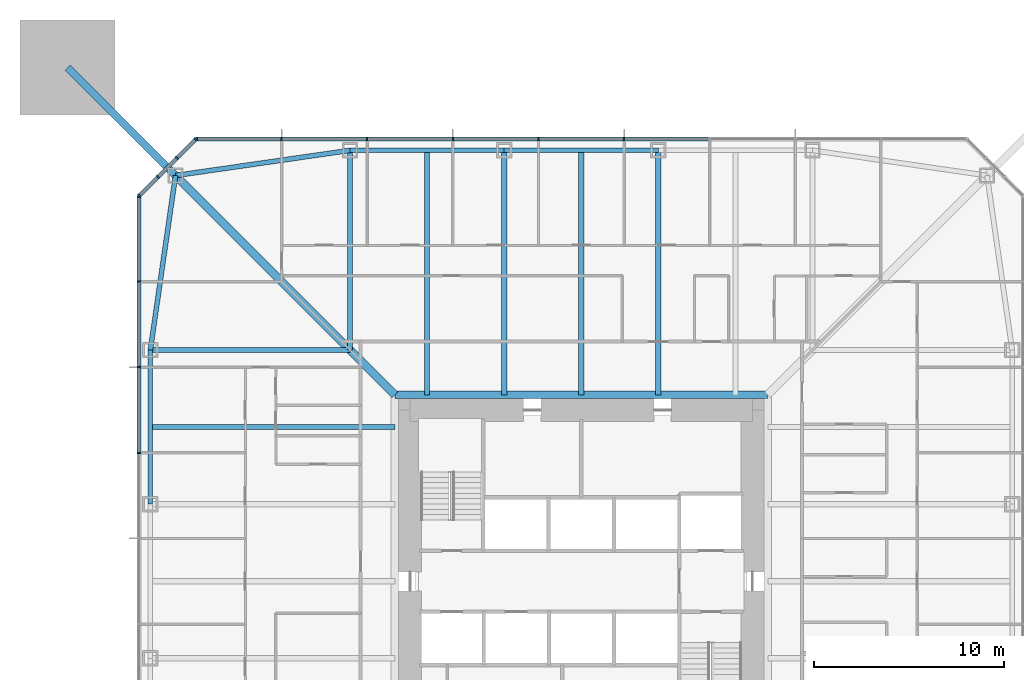
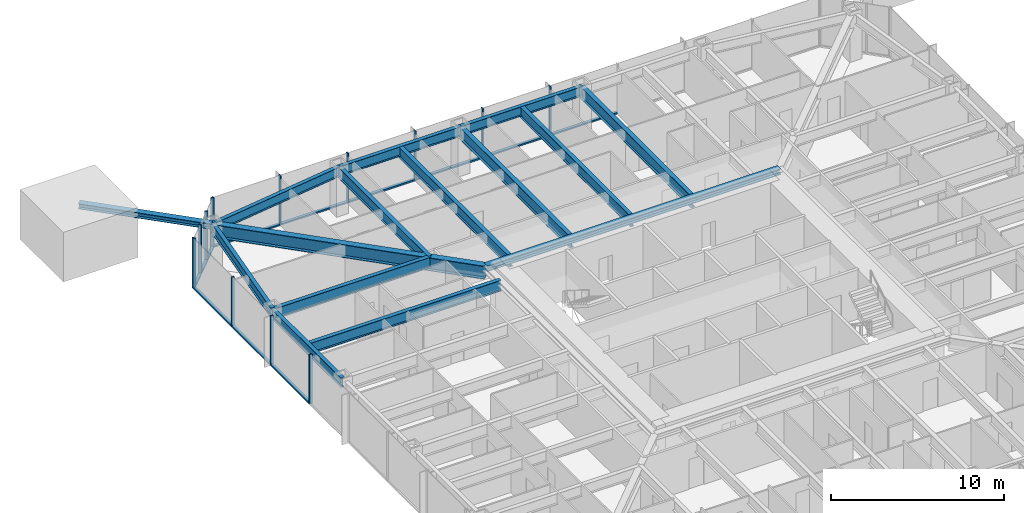
# One storey, part 6 of 26: 27 members, 14 beams, 3 elements without a shape of their own.
"""IFC4 building model written with IfcOpenShell, lengths in metres."""

from ifc_helpers import new_model, si_unit, direction, frame, origin, origin_2d, place, context, subcontext, project, spatial, rectangle, i_section, extrude, material, material_profile, profile_set, type_object, element, aggregate, save


model = new_model("IFC4")

# Units and contexts
model_context = context("Model", 3, precision=1e-05, world=origin(), true_north=direction((0.0, 1.0)))
body_context = subcontext(model_context, "Body", "Model", "MODEL_VIEW")
ifc_project = project(units=[si_unit("LENGTHUNIT", "METRE"), si_unit("AREAUNIT", "SQUARE_METRE"), si_unit("VOLUMEUNIT", "CUBIC_METRE"), si_unit("PLANEANGLEUNIT", "RADIAN"), si_unit("MASSUNIT", "GRAM", prefix="KILO")], contexts=[model_context])

# Site, building, storey
site_placement = place(None, origin())
site = spatial("IfcSite", under=ifc_project, at=site_placement, CompositionType="ELEMENT")
building_placement = place(site_placement, origin())
building = spatial("IfcBuilding", under=site, at=building_placement, Name="Iwan Alto Co-Living Towers", CompositionType="ELEMENT")
storey_placement = place(building_placement, frame((0.0, 0.0, 39.5)))
storey = spatial("IfcBuildingStorey", under=building, at=storey_placement, Name="L10", CompositionType="ELEMENT", Elevation=39.5)

# Curtain wall, members
ifc_material_1 = material(Name="Bronze aluminium unitised frame", Category="aluminium")
curtain_wall_type_1 = type_object("IfcCurtainWallType", Name="CURTAIN WALL CW-A", PredefinedType="NOTDEFINED", material=ifc_material_1)
curtain_wall_1_placement = place(storey_placement, origin())
curtain_wall_1 = element("IfcCurtainWall", 1, at=curtain_wall_1_placement, inside=storey, type_object=curtain_wall_type_1, Name="T1 curtain wall N L10", PredefinedType="NOTDEFINED")
ifc_material_2 = material(Name="Aluminium 6063-T6 bronze anodised", Category="aluminium")
ifc_material_profile_1 = material_profile(ifc_material_2, rectangle(XDim=0.199951171875, YDim=0.080078125, at=origin_2d()), Name="AL 80X200")
ifc_profile_set_1 = profile_set([ifc_material_profile_1], Name="Aluminium 6063-T6 bronze anodised")
member_type_1 = type_object("IfcMemberType", Name="CW-A MULLION 80X200", PredefinedType="MULLION", material=ifc_profile_set_1)
member_1_placement = place(storey_placement, frame((2.25, 23.25, 0.0), z_axis=(0.0, 0.0, 1.0), x_axis=(0.0, -1.0, 0.0)))
member_1 = element("IfcMember", 2, at=member_1_placement, type_object=member_type_1, Name="CW-A mullion 5", PredefinedType="MULLION", context=body_context, shape_type="SweptSolid", body=[
    extrude(rectangle(XDim=0.199951171875, YDim=0.080078125, at=origin_2d()), origin(), (0.0, 0.0, 1.0), 3.5),
])
member_2_placement = place(storey_placement, frame((-2.25, 23.25, 0.0), z_axis=(0.0, 0.0, 1.0), x_axis=(0.0, -1.0, 0.0)))
member_2 = element("IfcMember", 3, at=member_2_placement, type_object=member_type_1, Name="CW-A mullion 6", PredefinedType="MULLION", context=body_context, shape_type="SweptSolid", body=[
    extrude(rectangle(XDim=0.199951171875, YDim=0.080078125, at=origin_2d()), origin(), (0.0, 0.0, 1.0), 3.5),
])
member_3_placement = place(storey_placement, frame((-6.75, 23.25, 0.0), z_axis=(0.0, 0.0, 1.0), x_axis=(0.0, -1.0, 0.0)))
member_3 = element("IfcMember", 4, at=member_3_placement, type_object=member_type_1, Name="CW-A mullion 7", PredefinedType="MULLION", context=body_context, shape_type="SweptSolid", body=[
    extrude(rectangle(XDim=0.199951171875, YDim=0.080078125, at=origin_2d()), origin(), (0.0, 0.0, 1.0), 3.5),
])
member_4_placement = place(storey_placement, frame((-11.25, 23.25, 0.0), z_axis=(0.0, 0.0, 1.0), x_axis=(0.0, -1.0, 0.0)))
member_4 = element("IfcMember", 5, at=member_4_placement, type_object=member_type_1, Name="CW-A mullion 8", PredefinedType="MULLION", context=body_context, shape_type="SweptSolid", body=[
    extrude(rectangle(XDim=0.199951171875, YDim=0.080078125, at=origin_2d()), origin(), (0.0, 0.0, 1.0), 3.5),
])
member_5_placement = place(storey_placement, frame((-15.75, 23.25, 0.0), z_axis=(0.0, 0.0, 1.0), x_axis=(0.0, -1.0, 0.0)))
member_5 = element("IfcMember", 6, at=member_5_placement, type_object=member_type_1, Name="CW-A mullion 9", PredefinedType="MULLION", context=body_context, shape_type="SweptSolid", body=[
    extrude(rectangle(XDim=0.199951171875, YDim=0.080078125, at=origin_2d()), origin(), (0.0, 0.0, 1.0), 3.5),
])
member_6_placement = place(storey_placement, frame((-20.2099609375, 23.25, 0.0), z_axis=(0.0, 0.0, 1.0), x_axis=(0.0, -1.0, 0.0)))
member_6 = element("IfcMember", 7, at=member_6_placement, type_object=member_type_1, Name="CW-A mullion 10", PredefinedType="MULLION", context=body_context, shape_type="SweptSolid", body=[
    extrude(rectangle(XDim=0.199951171875, YDim=0.080078125, at=origin_2d()), origin(), (0.0, 0.0, 1.0), 3.5),
])

curtain_wall_2_placement = place(storey_placement, origin())
curtain_wall_2 = element("IfcCurtainWall", 8, at=curtain_wall_2_placement, inside=storey, type_object=curtain_wall_type_1, Name="T1 curtain wall W L10", PredefinedType="NOTDEFINED")
member_7_placement = place(storey_placement, frame((-23.25, 20.2099609375, 0.0), z_axis=(0.0, 0.0, 1.0), x_axis=(1.0, 0.0, 0.0)))
member_7 = element("IfcMember", 9, at=member_7_placement, type_object=member_type_1, Name="CW-A mullion 1", PredefinedType="MULLION", context=body_context, shape_type="SweptSolid", body=[
    extrude(rectangle(XDim=0.199951171875, YDim=0.080078125, at=origin_2d()), origin(), (0.0, 0.0, 1.0), 3.5),
])
member_8_placement = place(storey_placement, frame((-23.25, 15.75, 0.0), z_axis=(0.0, 0.0, 1.0), x_axis=(1.0, 0.0, 0.0)))
member_8 = element("IfcMember", 10, at=member_8_placement, type_object=member_type_1, Name="CW-A mullion 2", PredefinedType="MULLION", context=body_context, shape_type="SweptSolid", body=[
    extrude(rectangle(XDim=0.199951171875, YDim=0.080078125, at=origin_2d()), origin(), (0.0, 0.0, 1.0), 3.5),
])
member_9_placement = place(storey_placement, frame((-23.25, 11.25, 0.0), z_axis=(0.0, 0.0, 1.0), x_axis=(1.0, 0.0, 0.0)))
member_9 = element("IfcMember", 11, at=member_9_placement, type_object=member_type_1, Name="CW-A mullion 3", PredefinedType="MULLION", context=body_context, shape_type="SweptSolid", body=[
    extrude(rectangle(XDim=0.199951171875, YDim=0.080078125, at=origin_2d()), origin(), (0.0, 0.0, 1.0), 3.5),
])
member_10_placement = place(storey_placement, frame((-23.25, 6.75, 0.0), z_axis=(0.0, 0.0, 1.0), x_axis=(1.0, 0.0, 0.0)))
member_10 = element("IfcMember", 12, at=member_10_placement, type_object=member_type_1, Name="CW-A mullion 4", PredefinedType="MULLION", context=body_context, shape_type="SweptSolid", body=[
    extrude(rectangle(XDim=0.199951171875, YDim=0.080078125, at=origin_2d()), origin(), (0.0, 0.0, 1.0), 3.5),
])

# Member
ifc_material_3 = material(Name="Aluminium 6063-T6 bronze anodised", Category="aluminium")
ifc_material_profile_2 = material_profile(ifc_material_3, rectangle(XDim=0.199951171875, YDim=0.10009765625, at=origin_2d()), Name="AL 200X100")
ifc_profile_set_2 = profile_set([ifc_material_profile_2], Name="Aluminium 6063-T6 bronze anodised")
member_type_2 = type_object("IfcMemberType", Name="CW-A TRANSOM 200X100", PredefinedType="USERDEFINED", material=ifc_profile_set_2)
member_11_placement = place(storey_placement, frame((6.7099609375, 23.25, 0.050048828125), z_axis=(-1.0, 0.0, 0.0), x_axis=(0.0, -1.0, 0.0)))
member_11 = element("IfcMember", 13, at=member_11_placement, type_object=member_type_2, Name="CW-A transom 4.1", ObjectType="TRANSOM", PredefinedType="USERDEFINED", context=body_context, shape_type="SweptSolid", body=[
    extrude(rectangle(XDim=0.199951171875, YDim=0.10009765625, at=origin_2d()), origin(), (0.0, 0.0, 1.0), 4.419921875),
])

member_12_placement = place(storey_placement, frame((2.2099609375, 23.25, 0.050048828125), z_axis=(-1.0, 0.0, 0.0), x_axis=(0.0, -1.0, 0.0)))
member_12 = element("IfcMember", 14, at=member_12_placement, type_object=member_type_2, Name="CW-A transom 5.1", ObjectType="TRANSOM", PredefinedType="USERDEFINED", context=body_context, shape_type="SweptSolid", body=[
    extrude(rectangle(XDim=0.199951171875, YDim=0.10009765625, at=origin_2d()), origin(), (0.0, 0.0, 1.0), 4.419921875),
])

member_13_placement = place(storey_placement, frame((-2.2900390625, 23.25, 0.050048828125), z_axis=(-1.0, 0.0, 0.0), x_axis=(0.0, -1.0, 0.0)))
member_13 = element("IfcMember", 15, at=member_13_placement, type_object=member_type_2, Name="CW-A transom 6.1", ObjectType="TRANSOM", PredefinedType="USERDEFINED", context=body_context, shape_type="SweptSolid", body=[
    extrude(rectangle(XDim=0.199951171875, YDim=0.10009765625, at=origin_2d()), origin(), (0.0, 0.0, 1.0), 4.419921875),
])

member_14_placement = place(storey_placement, frame((-6.7900390625, 23.25, 0.050048828125), z_axis=(-1.0, 0.0, 0.0), x_axis=(0.0, -1.0, 0.0)))
member_14 = element("IfcMember", 16, at=member_14_placement, type_object=member_type_2, Name="CW-A transom 7.1", ObjectType="TRANSOM", PredefinedType="USERDEFINED", context=body_context, shape_type="SweptSolid", body=[
    extrude(rectangle(XDim=0.199951171875, YDim=0.10009765625, at=origin_2d()), origin(), (0.0, 0.0, 1.0), 4.419921875),
])

member_15_placement = place(storey_placement, frame((-11.2900390625, 23.25, 0.050048828125), z_axis=(-1.0, 0.0, 0.0), x_axis=(0.0, -1.0, 0.0)))
member_15 = element("IfcMember", 17, at=member_15_placement, type_object=member_type_2, Name="CW-A transom 8.1", ObjectType="TRANSOM", PredefinedType="USERDEFINED", context=body_context, shape_type="SweptSolid", body=[
    extrude(rectangle(XDim=0.199951171875, YDim=0.10009765625, at=origin_2d()), origin(), (0.0, 0.0, 1.0), 4.419921875),
])

member_16_placement = place(storey_placement, frame((-15.7900390625, 23.25, 0.050048828125), z_axis=(-1.0, 0.0, 0.0), x_axis=(0.0, -1.0, 0.0)))
member_16 = element("IfcMember", 18, at=member_16_placement, type_object=member_type_2, Name="CW-A transom 9.1", ObjectType="TRANSOM", PredefinedType="USERDEFINED", context=body_context, shape_type="SweptSolid", body=[
    extrude(rectangle(XDim=0.199951171875, YDim=0.10009765625, at=origin_2d()), origin(), (0.0, 0.0, 1.0), 4.3798828125),
])

aggregate(curtain_wall_1, [member_1, member_2, member_3, member_4, member_5, member_6, member_11, member_12, member_13, member_14, member_15, member_16])

member_17_placement = place(storey_placement, frame((-23.25, 20.169921875, 0.050048828125), z_axis=(0.0, -1.0, 0.0), x_axis=(1.0, 0.0, 0.0)))
member_17 = element("IfcMember", 19, at=member_17_placement, type_object=member_type_2, Name="CW-A transom 1.1", ObjectType="TRANSOM", PredefinedType="USERDEFINED", context=body_context, shape_type="SweptSolid", body=[
    extrude(rectangle(XDim=0.199951171875, YDim=0.10009765625, at=origin_2d()), origin(), (0.0, 0.0, 1.0), 4.3798828125),
])

member_18_placement = place(storey_placement, frame((-23.25, 15.7099609375, 0.050048828125), z_axis=(0.0, -1.0, 0.0), x_axis=(1.0, 0.0, 0.0)))
member_18 = element("IfcMember", 20, at=member_18_placement, type_object=member_type_2, Name="CW-A transom 2.1", ObjectType="TRANSOM", PredefinedType="USERDEFINED", context=body_context, shape_type="SweptSolid", body=[
    extrude(rectangle(XDim=0.199951171875, YDim=0.10009765625, at=origin_2d()), origin(), (0.0, 0.0, 1.0), 4.419921875),
])

member_19_placement = place(storey_placement, frame((-23.25, 11.2099609375, 0.050048828125), z_axis=(0.0, -1.0, 0.0), x_axis=(1.0, 0.0, 0.0)))
member_19 = element("IfcMember", 21, at=member_19_placement, type_object=member_type_2, Name="CW-A transom 3.1", ObjectType="TRANSOM", PredefinedType="USERDEFINED", context=body_context, shape_type="SweptSolid", body=[
    extrude(rectangle(XDim=0.199951171875, YDim=0.10009765625, at=origin_2d()), origin(), (0.0, 0.0, 1.0), 4.419921875),
])

aggregate(curtain_wall_2, [member_7, member_8, member_9, member_10, member_17, member_18, member_19])

# Curtain wall, members
ifc_material_4 = material(Name="Bronze aluminium unitised frame", Category="aluminium")
curtain_wall_type_2 = type_object("IfcCurtainWallType", Name="CURTAIN WALL CW-B", PredefinedType="NOTDEFINED", material=ifc_material_4)
curtain_wall_3_placement = place(storey_placement, origin())
curtain_wall_3 = element("IfcCurtainWall", 22, at=curtain_wall_3_placement, inside=storey, type_object=curtain_wall_type_2, Name="T1 chamfer curtain wall NW L10", PredefinedType="NOTDEFINED")
ifc_material_5 = material(Name="Aluminium 6063-T6 bronze anodised", Category="aluminium")
ifc_material_profile_3 = material_profile(ifc_material_5, rectangle(XDim=0.199951171875, YDim=0.080078125, at=origin_2d()), Name="AL 80X200")
ifc_profile_set_3 = profile_set([ifc_material_profile_3], Name="Aluminium 6063-T6 bronze anodised")
member_type_3 = type_object("IfcMemberType", Name="CW-B MULLION 80X200", PredefinedType="MULLION", material=ifc_profile_set_3)
member_20_placement = place(storey_placement, frame((-20.2783203125, 23.2216796875, 0.0), z_axis=(0.0, 0.0, 1.0), x_axis=(0.707106781187, -0.707106781187, 0.0)))
member_20 = element("IfcMember", 23, at=member_20_placement, type_object=member_type_3, Name="CW-B mullion 1", PredefinedType="MULLION", context=body_context, shape_type="SweptSolid", body=[
    extrude(rectangle(XDim=0.199951171875, YDim=0.080078125, at=origin_2d()), origin(), (0.0, 0.0, 1.0), 3.5),
])
member_21_placement = place(storey_placement, frame((-21.25, 22.25, 0.0), z_axis=(0.0, 0.0, 1.0), x_axis=(0.707106781187, -0.707106781187, 0.0)))
member_21 = element("IfcMember", 24, at=member_21_placement, type_object=member_type_3, Name="CW-B mullion 2", PredefinedType="MULLION", context=body_context, shape_type="SweptSolid", body=[
    extrude(rectangle(XDim=0.199951171875, YDim=0.080078125, at=origin_2d()), origin(), (0.0, 0.0, 1.0), 3.5),
])
member_22_placement = place(storey_placement, frame((-22.25, 21.25, 0.0), z_axis=(0.0, 0.0, 1.0), x_axis=(0.707106781187, -0.707106781187, 0.0)))
member_22 = element("IfcMember", 25, at=member_22_placement, type_object=member_type_3, Name="CW-B mullion 3", PredefinedType="MULLION", context=body_context, shape_type="SweptSolid", body=[
    extrude(rectangle(XDim=0.199951171875, YDim=0.080078125, at=origin_2d()), origin(), (0.0, 0.0, 1.0), 3.5),
])
member_23_placement = place(storey_placement, frame((-23.2216796875, 20.2783203125, 0.0), z_axis=(0.0, 0.0, 1.0), x_axis=(0.707106781187, -0.707106781187, 0.0)))
member_23 = element("IfcMember", 26, at=member_23_placement, type_object=member_type_3, Name="CW-B mullion 4", PredefinedType="MULLION", context=body_context, shape_type="SweptSolid", body=[
    extrude(rectangle(XDim=0.199951171875, YDim=0.080078125, at=origin_2d()), origin(), (0.0, 0.0, 1.0), 3.5),
])
ifc_material_6 = material(Name="Aluminium 6063-T6 bronze anodised", Category="aluminium")
ifc_material_profile_4 = material_profile(ifc_material_6, rectangle(XDim=0.199951171875, YDim=0.10009765625, at=origin_2d()), Name="AL 200X100")
ifc_profile_set_4 = profile_set([ifc_material_profile_4], Name="Aluminium 6063-T6 bronze anodised")
member_type_4 = type_object("IfcMemberType", Name="CW-B TRANSOM 200X100", PredefinedType="USERDEFINED", material=ifc_profile_set_4)
member_24_placement = place(storey_placement, frame((-20.306640625, 23.193359375, 0.050048828125), z_axis=(-0.707106781187, -0.707106781187, 0.0), x_axis=(0.707106781187, -0.707106781187, 0.0)))
member_24 = element("IfcMember", 27, at=member_24_placement, type_object=member_type_4, Name="CW-B transom 1.1", ObjectType="TRANSOM", PredefinedType="USERDEFINED", context=body_context, shape_type="SweptSolid", body=[
    extrude(rectangle(XDim=0.199951171875, YDim=0.10009765625, at=origin_2d()), origin(), (0.0, 0.0, 1.0), 1.2939453125),
])
member_25_placement = place(storey_placement, frame((-21.2783203125, 22.2216796875, 0.050048828125), z_axis=(-0.707106781187, -0.707106781187, 0.0), x_axis=(0.707106781187, -0.707106781187, 0.0)))
member_25 = element("IfcMember", 28, at=member_25_placement, type_object=member_type_4, Name="CW-B transom 2.1", ObjectType="TRANSOM", PredefinedType="USERDEFINED", context=body_context, shape_type="SweptSolid", body=[
    extrude(rectangle(XDim=0.199951171875, YDim=0.10009765625, at=origin_2d()), origin(), (0.0, 0.0, 1.0), 1.334228515625),
])
member_26_placement = place(storey_placement, frame((-22.2783203125, 21.2216796875, 0.050048828125), z_axis=(-0.707106781187, -0.707106781187, 0.0), x_axis=(0.707106781187, -0.707106781187, 0.0)))
member_26 = element("IfcMember", 29, at=member_26_placement, type_object=member_type_4, Name="CW-B transom 3.1", ObjectType="TRANSOM", PredefinedType="USERDEFINED", context=body_context, shape_type="SweptSolid", body=[
    extrude(rectangle(XDim=0.199951171875, YDim=0.10009765625, at=origin_2d()), origin(), (0.0, 0.0, 1.0), 1.2939453125),
])
aggregate(curtain_wall_3, [member_20, member_21, member_22, member_23, member_24, member_25, member_26])

# Beams
ifc_material_7 = material(Name="Steel ASTM A992 Gr 50", Category="steel")
ifc_material_profile_5 = material_profile(ifc_material_7, i_section(OverallWidth=0.40380859375, OverallDepth=0.406494140625, WebThickness=0.027099609375, FlangeThickness=0.043701171875, at=origin_2d()), Name="W14X233")
ifc_profile_set_5 = profile_set([ifc_material_profile_5], Name="Steel ASTM A992 Gr 50")
beam_type_1 = type_object("IfcBeamType", Name="T1 CORE LEDGER BEAM W14X233", PredefinedType="BEAM", material=ifc_profile_set_5)
beam_1_placement = place(storey_placement, frame((9.802001953125, 9.802001953125, 3.06689453125), z_axis=(-1.0, 0.0, 0.0), x_axis=(0.0, -1.0, 0.0)))
element("IfcBeam", 30, at=beam_1_placement, inside=storey, type_object=beam_type_1, Name="T1 core ledger beam N L11", PredefinedType="BEAM", context=body_context, shape_type="SweptSolid", body=[
    extrude(i_section(OverallWidth=0.40380859375, OverallDepth=0.406494140625, WebThickness=0.027099609375, FlangeThickness=0.043701171875, at=origin_2d()), origin(), (0.0, 0.0, 1.0), 19.60400390625),
])
ifc_material_8 = material(Name="Steel ASTM A992 Gr 50", Category="steel")
ifc_material_profile_6 = material_profile(ifc_material_8, i_section(OverallWidth=0.419189453125, OverallDepth=0.927001953125, WebThickness=0.019287109375, FlangeThickness=0.031982421875, at=origin_2d()), Name="W36X231")
ifc_profile_set_6 = profile_set([ifc_material_profile_6], Name="Steel ASTM A992 Gr 50")
beam_type_2 = type_object("IfcBeamType", Name="T1 CORNER GIRDER W36X231", PredefinedType="BEAM", material=ifc_profile_set_6)
beam_2_placement = place(storey_placement, frame((-21.32568359375, 21.32568359375, 2.806396484375), z_axis=(0.707106781187, -0.707106781187, 0.0), x_axis=(0.707106781187, 0.707106781187, 0.0)))
element("IfcBeam", 31, at=beam_2_placement, inside=storey, type_object=beam_type_2, Name="T1 corner girder CNW L11", PredefinedType="BEAM", context=body_context, shape_type="SweptSolid", body=[
    extrude(i_section(OverallWidth=0.419189453125, OverallDepth=0.927001953125, WebThickness=0.019287109375, FlangeThickness=0.031982421875, at=origin_2d()), origin(), (0.0, 0.0, 1.0), 16.296875),
])
ifc_material_9 = material(Name="Steel ASTM A992 Gr 50", Category="steel")
ifc_material_profile_7 = material_profile(ifc_material_9, i_section(OverallWidth=0.25390625, OverallDepth=0.683349609375, WebThickness=0.012451171875, FlangeThickness=0.018798828125, at=origin_2d()), Name="W27X94")
ifc_profile_set_7 = profile_set([ifc_material_profile_7], Name="Steel ASTM A992 Gr 50")
beam_type_3 = type_object("IfcBeamType", Name="T1 EDGE BEAM W27X94", PredefinedType="BEAM", material=ifc_profile_set_7)
beam_3_placement = place(storey_placement, frame((4.050048828125, 22.64990234375, 2.928466796875), z_axis=(-1.0, 0.0, 0.0), x_axis=(0.0, -1.0, 0.0)))
element("IfcBeam", 32, at=beam_3_placement, inside=storey, type_object=beam_type_3, Name="T1 edge beam N2 L11", PredefinedType="BEAM", context=body_context, shape_type="SweptSolid", body=[
    extrude(i_section(OverallWidth=0.25390625, OverallDepth=0.683349609375, WebThickness=0.012451171875, FlangeThickness=0.018798828125, at=origin_2d()), origin(), (0.0, 0.0, 1.0), 8.10009765625),
])
beam_4_placement = place(storey_placement, frame((-4.050048828125, 22.64990234375, 2.928466796875), z_axis=(-1.0, 0.0, 0.0), x_axis=(0.0, -1.0, 0.0)))
element("IfcBeam", 33, at=beam_4_placement, inside=storey, type_object=beam_type_3, Name="T1 edge beam N3 L11", PredefinedType="BEAM", context=body_context, shape_type="SweptSolid", body=[
    extrude(i_section(OverallWidth=0.25390625, OverallDepth=0.683349609375, WebThickness=0.012451171875, FlangeThickness=0.018798828125, at=origin_2d()), origin(), (0.0, 0.0, 1.0), 8.099853515625),
])
for number, where, z_axis, x_axis, name in (
    (34, (-12.14990234375, 22.64990234375, 2.928466796875), (-0.989746234347, -0.142836940589, 0.0), (0.142836940589, -0.989746234347, 0.0), "T1 edge beam N4 L11"),
    (35, (-21.32568359375, 21.32568359375, 2.928466796875), (-0.142836940589, -0.989746234347, 0.0), (0.989746234347, -0.142836940589, 0.0), "T1 edge beam CNW L11"),
):
    element("IfcBeam", number, at=place(storey_placement, frame(where, z_axis=z_axis, x_axis=x_axis)), inside=storey, type_object=beam_type_3, Name=name, PredefinedType="BEAM", context=body_context, shape_type="SweptSolid", body=[
        extrude(i_section(OverallWidth=0.25390625, OverallDepth=0.683349609375, WebThickness=0.012451171875, FlangeThickness=0.018798828125, at=origin_2d()), origin(), (0.0, 0.0, 1.0), 9.270751953125),
    ])
beam_5_placement = place(storey_placement, frame((-22.64990234375, 12.14990234375, 2.928466796875), z_axis=(0.0, -1.0, 0.0), x_axis=(1.0, 0.0, 0.0)))
element("IfcBeam", 36, at=beam_5_placement, inside=storey, type_object=beam_type_3, Name="T1 edge beam W1 L11", PredefinedType="BEAM", context=body_context, shape_type="SweptSolid", body=[
    extrude(i_section(OverallWidth=0.25390625, OverallDepth=0.683349609375, WebThickness=0.012451171875, FlangeThickness=0.018798828125, at=origin_2d()), origin(), (0.0, 0.0, 1.0), 8.099853515625),
])

# Member
ifc_material_10 = material(Name="Steel ASTM A992 Gr 50", Category="steel")
ifc_material_profile_8 = material_profile(ifc_material_10, i_section(OverallWidth=0.393798828125, OverallDepth=0.3759765625, WebThickness=0.017333984375, FlangeThickness=0.027587890625, at=origin_2d()), Name="W14X145")
ifc_profile_set_8 = profile_set([ifc_material_profile_8], Name="Steel ASTM A992 Gr 50")
member_type_5 = type_object("IfcMemberType", Name="T1 MEGA COLUMN FLOOR TIE W14X145", PredefinedType="STRUT", material=ifc_profile_set_8)
member_27_placement = place(storey_placement, frame((-27.0, 27.0, 3.08203125), z_axis=(0.707106781187, -0.707106781187, 0.0), x_axis=(0.707106781187, 0.707106781187, 0.0)))
element("IfcMember", 37, at=member_27_placement, inside=storey, type_object=member_type_5, Name="T1 mega column floor tie NW L11", PredefinedType="STRUT", context=body_context, shape_type="SweptSolid", body=[
    extrude(i_section(OverallWidth=0.393798828125, OverallDepth=0.3759765625, WebThickness=0.017333984375, FlangeThickness=0.027587890625, at=origin_2d()), origin(), (0.0, 0.0, 1.0), 8.024658203125),
])

# Beams
ifc_material_11 = material(Name="Steel ASTM A992 Gr 50", Category="steel")
ifc_material_profile_9 = material_profile(ifc_material_11, i_section(OverallWidth=0.2666015625, OverallDepth=0.761962890625, WebThickness=0.014404296875, FlangeThickness=0.021484375, at=origin_2d()), Name="W30X116")
ifc_profile_set_9 = profile_set([ifc_material_profile_9], Name="Steel ASTM A992 Gr 50")
beam_type_4 = type_object("IfcBeamType", Name="T1 RADIAL BEAM W30X116", PredefinedType="BEAM", material=ifc_profile_set_9)
for number, where, z_axis, x_axis, name in (
    (38, (-12.14990234375, 22.64990234375, 2.888916015625), (0.0, -1.0, 0.0), (1.0, 0.0, 0.0), "T1 radial beam N4 L11"),
    (39, (-22.64990234375, 12.14990234375, 2.888916015625), (1.0, 0.0, 0.0), (0.0, 1.0, 0.0), "T1 radial beam W1 L11"),
):
    element("IfcBeam", number, at=place(storey_placement, frame(where, z_axis=z_axis, x_axis=x_axis)), inside=storey, type_object=beam_type_4, Name=name, PredefinedType="BEAM", context=body_context, shape_type="SweptSolid", body=[
        extrude(i_section(OverallWidth=0.2666015625, OverallDepth=0.761962890625, WebThickness=0.014404296875, FlangeThickness=0.021484375, at=origin_2d()), origin(), (0.0, 0.0, 1.0), 10.5),
    ])
ifc_material_12 = material(Name="Steel ASTM A992 Gr 50", Category="steel")
ifc_material_profile_10 = material_profile(ifc_material_12, i_section(OverallWidth=0.2919921875, OverallDepth=0.8408203125, WebThickness=0.0146484375, FlangeThickness=0.021728515625, at=origin_2d()), Name="W33X130")
ifc_profile_set_10 = profile_set([ifc_material_profile_10], Name="Steel ASTM A992 Gr 50")
beam_type_5 = type_object("IfcBeamType", Name="T1 RADIAL BEAM W33X130", PredefinedType="BEAM", material=ifc_profile_set_10)
for number, where, z_axis, x_axis, name in (
    (40, (4.050048828125, 22.64990234375, 2.849609375), (0.0, -1.0, 0.0), (1.0, 0.0, 0.0), "T1 radial beam N2 L11"),
    (41, (-4.050048828125, 22.64990234375, 2.849609375), (0.0, -1.0, 0.0), (1.0, 0.0, 0.0), "T1 radial beam N3 L11"),
):
    element("IfcBeam", number, at=place(storey_placement, frame(where, z_axis=z_axis, x_axis=x_axis)), inside=storey, type_object=beam_type_5, Name=name, PredefinedType="BEAM", context=body_context, shape_type="SweptSolid", body=[
        extrude(i_section(OverallWidth=0.2919921875, OverallDepth=0.8408203125, WebThickness=0.0146484375, FlangeThickness=0.021728515625, at=origin_2d()), origin(), (0.0, 0.0, 1.0), 12.847900390625),
    ])
ifc_material_13 = material(Name="Steel ASTM A992 Gr 50", Category="steel")
ifc_material_profile_11 = material_profile(ifc_material_13, i_section(OverallWidth=0.2666015625, OverallDepth=0.761962890625, WebThickness=0.014404296875, FlangeThickness=0.021484375, at=origin_2d()), Name="W30X116")
ifc_profile_set_11 = profile_set([ifc_material_profile_11], Name="Steel ASTM A992 Gr 50")
beam_type_6 = type_object("IfcBeamType", Name="T1 SECONDARY BEAM W30X116", PredefinedType="JOIST", material=ifc_profile_set_11)
for number, where, z_axis, x_axis, name in (
    (42, (0.0, 22.64990234375, 2.888916015625), (0.0, -1.0, 0.0), (1.0, 0.0, 0.0), "T1 secondary beam N2 L11"),
    (43, (-8.10009765625, 22.64990234375, 2.888916015625), (0.0, -1.0, 0.0), (1.0, 0.0, 0.0), "T1 secondary beam N3 L11"),
    (44, (-22.64990234375, 8.10009765625, 2.888916015625), (1.0, 0.0, 0.0), (0.0, 1.0, 0.0), "T1 secondary beam W1 L11"),
):
    element("IfcBeam", number, at=place(storey_placement, frame(where, z_axis=z_axis, x_axis=x_axis)), inside=storey, type_object=beam_type_6, Name=name, PredefinedType="JOIST", context=body_context, shape_type="SweptSolid", body=[
        extrude(i_section(OverallWidth=0.2666015625, OverallDepth=0.761962890625, WebThickness=0.014404296875, FlangeThickness=0.021484375, at=origin_2d()), origin(), (0.0, 0.0, 1.0), 12.847900390625),
    ])

save(model, "model.ifc")
